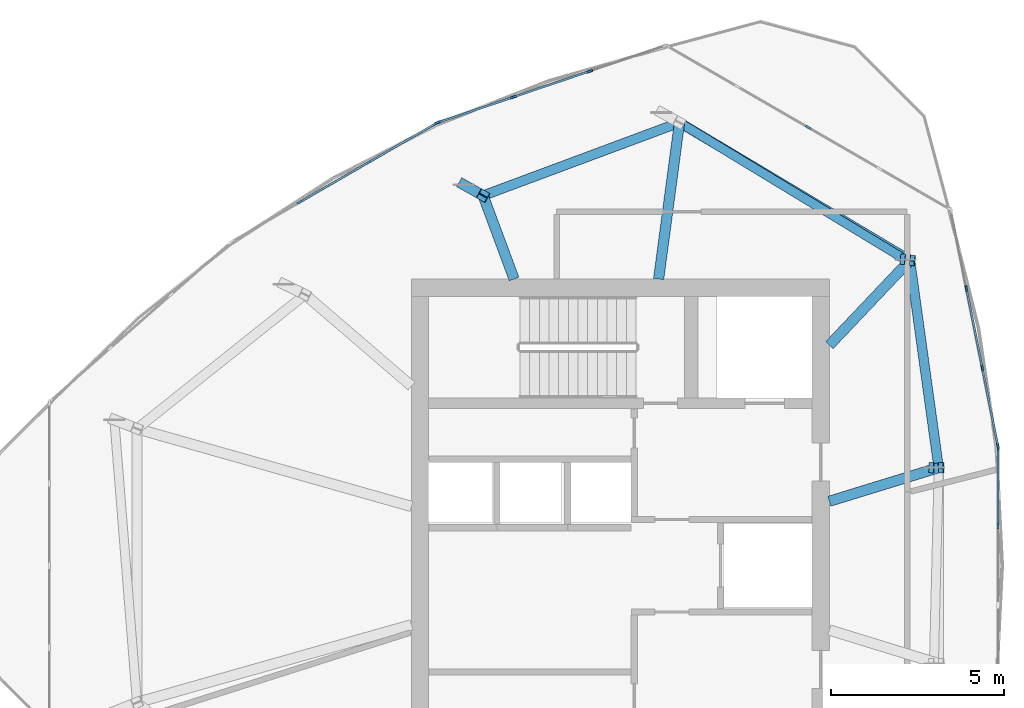
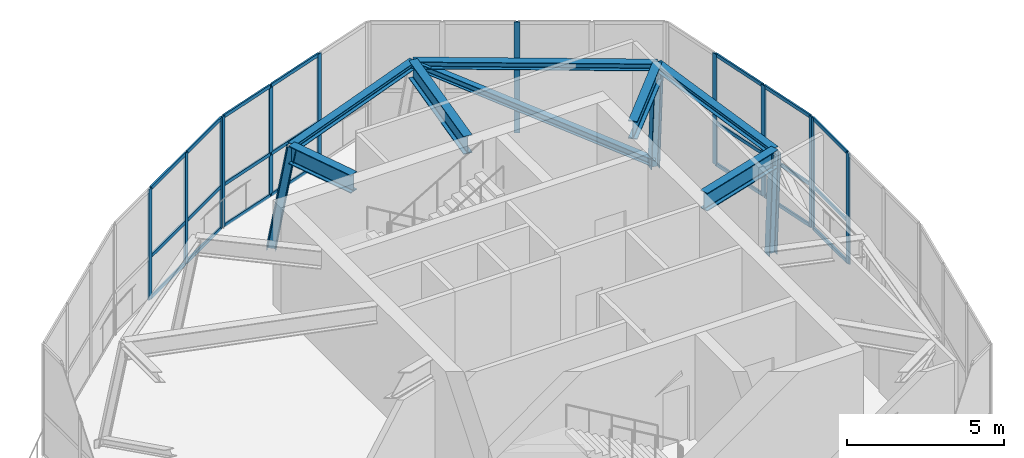
# One storey, part 4 of 11: 40 members, 4 beams, 5 elements without a shape of their own.
"""IFC4 building model written with IfcOpenShell, lengths in metres."""

from ifc_helpers import new_model, si_unit, direction, frame, origin, origin_2d, place, context, subcontext, project, spatial, rectangle, i_section, extrude, source, transform, mapped, material, layer, layer_set, material_profile, profile_set, type_object, element, aggregate, save


model = new_model("IFC4")

# Units and contexts
model_context = context("Model", 3, precision=1e-05, world=origin(), true_north=direction((0.0, 1.0)))
body_context = subcontext(model_context, "Body", "Model", "MODEL_VIEW")
ifc_project = project(units=[si_unit("LENGTHUNIT", "METRE"), si_unit("AREAUNIT", "SQUARE_METRE"), si_unit("VOLUMEUNIT", "CUBIC_METRE"), si_unit("PLANEANGLEUNIT", "RADIAN"), si_unit("MASSUNIT", "GRAM", prefix="KILO")], contexts=[model_context])

# Site, building, storey
site_placement = place(None, origin())
site = spatial("IfcSite", under=ifc_project, at=site_placement, CompositionType="ELEMENT")
building_placement = place(site_placement, origin())
building = spatial("IfcBuilding", under=site, at=building_placement, Name="Qafzar Sky-Pleat Residences", CompositionType="ELEMENT")
storey_placement = place(building_placement, frame((0.0, 0.0, 253.199951171875)))
storey = spatial("IfcBuildingStorey", under=building, at=storey_placement, Name="L76 Crown", CompositionType="ELEMENT", Elevation=253.199951171875)

# Members
ifc_material_1 = material(Name="Steel S460", Category="steel")
ifc_material_profile_1 = material_profile(ifc_material_1, i_section(OverallWidth=0.300048828125, OverallDepth=0.300048828125, WebThickness=0.010986328125, FlangeThickness=0.01904296875, FilletRadius=0.027099609375, at=origin_2d()), Name="HEB 300")
ifc_profile_set_1 = profile_set([ifc_material_profile_1], Name="Steel S460")
member_type_1 = type_object("IfcMemberType", Name="MEM-CROWN-RIB", PredefinedType="CHORD", material=ifc_profile_set_1)
shared_shape_1 = source(origin(), body_context, "Body", "SweptSolid", [
    extrude(i_section(OverallWidth=0.300048828125, OverallDepth=0.300048828125, WebThickness=0.010986328125, FlangeThickness=0.01904296875, FilletRadius=0.027099609375, at=origin_2d()), origin(), (0.0, 0.0, 1.0), 3.948974609375),
])
member_1_placement = place(storey_placement, frame((25.81201171875, 37.02880859375, 0.0), z_axis=(0.142623835253, -0.079750649101, 0.98655880493), x_axis=(0.488050286309, 0.872815512026, 0.0)))
element("IfcMember", 1, at=member_1_placement, inside=storey, type_object=member_type_1, Name="L76 Crown CROWN FRAME Inclined Rib 11", PredefinedType="CHORD", context=body_context, shape_type="MappedRepresentation", body=[
    mapped(shared_shape_1, transform((0.0, 0.0, 0.0), x_axis=(1.0, 0.0, 0.0), y_axis=(0.0, 1.0, 0.0), z_axis=(0.0, 0.0, 1.0), scale=1.0)),
])
shared_shape_2 = source(origin(), body_context, "Body", "SweptSolid", [
    extrude(i_section(OverallWidth=0.300048828125, OverallDepth=0.300048828125, WebThickness=0.010986328125, FlangeThickness=0.01904296875, FilletRadius=0.027099609375, at=origin_2d()), origin(), (0.0, 0.0, 1.0), 3.898193359375),
])
member_2_placement = place(storey_placement, frame((38.60302734375, 34.861083984375, 0.0), z_axis=(0.033318716266, -0.00413352495, 0.99943622964), x_axis=(0.123116331212, 0.99239224553, 0.0)))
element("IfcMember", 2, at=member_2_placement, inside=storey, type_object=member_type_1, Name="L76 Crown CROWN FRAME Inclined Rib 9", PredefinedType="CHORD", context=body_context, shape_type="MappedRepresentation", body=[
    mapped(shared_shape_2, transform((0.0, 0.0, 0.0), x_axis=(1.0, 0.0, 0.0), y_axis=(0.0, 1.0, 0.0), z_axis=(0.0, 0.0, 1.0), scale=1.0)),
])
shared_shape_3 = source(origin(), body_context, "Body", "SweptSolid", [
    extrude(i_section(OverallWidth=0.300048828125, OverallDepth=0.300048828125, WebThickness=0.010986328125, FlangeThickness=0.01904296875, FilletRadius=0.027099609375, at=origin_2d()), origin(), (0.0, 0.0, 1.0), 3.8984375),
])
member_3_placement = place(storey_placement, frame((39.427978515625, 28.839111328125, 0.0), z_axis=(0.035007979308, -0.000250504324, 0.999387001433), x_axis=(0.007155451874, 0.999974399427, 0.0)))
element("IfcMember", 3, at=member_3_placement, inside=storey, type_object=member_type_1, Name="L76 Crown CROWN FRAME Inclined Rib 8", PredefinedType="CHORD", context=body_context, shape_type="MappedRepresentation", body=[
    mapped(shared_shape_3, transform((0.0, 0.0, 0.0), x_axis=(1.0, 0.0, 0.0), y_axis=(0.0, 1.0, 0.0), z_axis=(0.0, 0.0, 1.0), scale=1.0)),
])
ifc_material_2 = material(Name="Steel S355", Category="steel")
ifc_material_profile_2 = material_profile(ifc_material_2, i_section(OverallWidth=0.280029296875, OverallDepth=0.280029296875, WebThickness=0.010498046875, FlangeThickness=0.01806640625, FilletRadius=0.02392578125, at=origin_2d()), Name="HEB 280")
ifc_profile_set_2 = profile_set([ifc_material_profile_2], Name="Steel S355")
member_type_2 = type_object("IfcMemberType", Name="MEM-CROWN-RING", PredefinedType="PURLIN", material=ifc_profile_set_2)
shared_shape_4 = source(origin(), body_context, "Body", "SweptSolid", [
    extrude(i_section(OverallWidth=0.280029296875, OverallDepth=0.280029296875, WebThickness=0.010498046875, FlangeThickness=0.01806640625, FilletRadius=0.02392578125, at=origin_2d()), origin(), (0.0, 0.0, 1.0), 6.066162109375),
])
member_4_placement = place(storey_placement, frame((32.060302734375, 38.830078125, 3.906005859375), z_axis=(-0.937176568402, -0.348855384991, 0.0), x_axis=(0.348855384991, -0.937176568402, 0.0)))
element("IfcMember", 4, at=member_4_placement, inside=storey, type_object=member_type_2, Name="L76 Crown CROWN FRAME Ring Beam 10", PredefinedType="PURLIN", context=body_context, shape_type="MappedRepresentation", body=[
    mapped(shared_shape_4, transform((0.0, 0.0, 0.0), x_axis=(1.0, 0.0, 0.0), y_axis=(0.0, 1.0, 0.0), z_axis=(0.0, 0.0, 1.0), scale=1.0)),
])
shared_shape_5 = source(origin(), body_context, "Body", "SweptSolid", [
    extrude(i_section(OverallWidth=0.280029296875, OverallDepth=0.280029296875, WebThickness=0.010498046875, FlangeThickness=0.01806640625, FilletRadius=0.02392578125, at=origin_2d()), origin(), (0.0, 0.0, 1.0), 7.77197265625),
])
member_5_placement = place(storey_placement, frame((38.73291015625, 34.844970703125, 3.906005859375), z_axis=(-0.858538851702, 0.512748515471, 0.0), x_axis=(-0.512748515471, -0.858538851702, 0.0)))
element("IfcMember", 5, at=member_5_placement, inside=storey, type_object=member_type_2, Name="L76 Crown CROWN FRAME Ring Beam 9", PredefinedType="PURLIN", context=body_context, shape_type="MappedRepresentation", body=[
    mapped(shared_shape_5, transform((0.0, 0.0, 0.0), x_axis=(1.0, 0.0, 0.0), y_axis=(0.0, 1.0, 0.0), z_axis=(0.0, 0.0, 1.0), scale=1.0)),
])
shared_shape_6 = source(origin(), body_context, "Body", "SweptSolid", [
    extrude(i_section(OverallWidth=0.280029296875, OverallDepth=0.280029296875, WebThickness=0.010498046875, FlangeThickness=0.01806640625, FilletRadius=0.02392578125, at=origin_2d()), origin(), (0.0, 0.0, 1.0), 6.064208984375),
])
member_6_placement = place(storey_placement, frame((39.564453125, 28.838134765625, 3.906005859375), z_axis=(-0.137125102778, 0.990553737153, 0.0), x_axis=(-0.990553737153, -0.137125102778, 0.0)))
element("IfcMember", 6, at=member_6_placement, inside=storey, type_object=member_type_2, Name="L76 Crown CROWN FRAME Ring Beam 8", PredefinedType="PURLIN", context=body_context, shape_type="MappedRepresentation", body=[
    mapped(shared_shape_6, transform((0.0, 0.0, 0.0), x_axis=(1.0, 0.0, 0.0), y_axis=(0.0, 1.0, 0.0), z_axis=(0.0, 0.0, 1.0), scale=1.0)),
])
ifc_material_profile_3 = material_profile(ifc_material_2, i_section(OverallWidth=0.260009765625, OverallDepth=0.260009765625, WebThickness=0.010009765625, FlangeThickness=0.017578125, FilletRadius=0.02392578125, at=origin_2d()), Name="HEB 260")
ifc_profile_set_3 = profile_set([ifc_material_profile_3], Name="Steel S355")
member_type_3 = type_object("IfcMemberType", Name="MEM-CROWN-DIAG", PredefinedType="BRACE", material=ifc_profile_set_3)
shared_shape_7 = source(origin(), body_context, "Body", "SweptSolid", [
    extrude(i_section(OverallWidth=0.260009765625, OverallDepth=0.260009765625, WebThickness=0.010009765625, FlangeThickness=0.017578125, FilletRadius=0.02392578125, at=origin_2d()), origin(), (0.0, 0.0, 1.0), 8.507080078125),
])
member_7_placement = place(storey_placement, frame((38.60302734375, 34.861083984375, 0.199951171875), z_axis=(-0.769097625166, 0.466555471932, 0.43682357374), x_axis=(-0.518655910238, -0.854983068122, 0.0)))
element("IfcMember", 7, at=member_7_placement, inside=storey, type_object=member_type_3, Name="L76 Crown CROWN FRAME Wind Brace 9", PredefinedType="BRACE", context=body_context, shape_type="MappedRepresentation", body=[
    mapped(shared_shape_7, transform((0.0, 0.0, 0.0), x_axis=(1.0, 0.0, 0.0), y_axis=(0.0, 1.0, 0.0), z_axis=(0.0, 0.0, 1.0), scale=1.0)),
])

# Beams
ifc_material_profile_4 = material_profile(ifc_material_1, i_section(OverallWidth=0.300048828125, OverallDepth=0.699951171875, WebThickness=0.01708984375, FlangeThickness=0.031982421875, FilletRadius=0.027099609375, at=origin_2d()), Name="HEB 700")
ifc_profile_set_4 = profile_set([ifc_material_profile_4], Name="Steel S460")
beam_type = type_object("IfcBeamType", Name="BM-CHORD-HEB700", PredefinedType="BEAM", material=ifc_profile_set_4)
shared_shape_8 = source(origin(), body_context, "Body", "SweptSolid", [
    extrude(i_section(OverallWidth=0.300048828125, OverallDepth=0.699951171875, WebThickness=0.01708984375, FlangeThickness=0.031982421875, FilletRadius=0.027099609375, at=origin_2d()), origin(), (0.0, 0.0, 1.0), 2.574462890625),
])
beam_1_placement = place(storey_placement, frame((26.375244140625, 36.7138671875, 3.697998046875), z_axis=(0.347826989698, -0.937558736953, 0.0), x_axis=(0.937558736953, 0.347826989698, 0.0)))
element("IfcBeam", 8, at=beam_1_placement, inside=storey, type_object=beam_type, Name="L77 Crown Crown Rib Base Transfer Beam 11", PredefinedType="BEAM", context=body_context, shape_type="MappedRepresentation", body=[
    mapped(shared_shape_8, transform((0.0, 0.0, 0.0), x_axis=(1.0, 0.0, 0.0), y_axis=(0.0, 1.0, 0.0), z_axis=(0.0, 0.0, 1.0), scale=1.0)),
])
shared_shape_9 = source(origin(), body_context, "Body", "SweptSolid", [
    extrude(i_section(OverallWidth=0.300048828125, OverallDepth=0.699951171875, WebThickness=0.01708984375, FlangeThickness=0.031982421875, FilletRadius=0.027099609375, at=origin_2d()), origin(), (0.0, 0.0, 1.0), 4.570068359375),
])
beam_2_placement = place(storey_placement, frame((32.060302734375, 38.830078125, 3.697998046875), z_axis=(-0.132163720091, -0.991227900683, 0.0), x_axis=(0.991227900683, -0.132163720091, 0.0)))
element("IfcBeam", 9, at=beam_2_placement, inside=storey, type_object=beam_type, Name="L77 Crown Crown Rib Base Transfer Beam 10", PredefinedType="BEAM", context=body_context, shape_type="MappedRepresentation", body=[
    mapped(shared_shape_9, transform((0.0, 0.0, 0.0), x_axis=(1.0, 0.0, 0.0), y_axis=(0.0, 1.0, 0.0), z_axis=(0.0, 0.0, 1.0), scale=1.0)),
])
shared_shape_10 = source(origin(), body_context, "Body", "SweptSolid", [
    extrude(i_section(OverallWidth=0.300048828125, OverallDepth=0.699951171875, WebThickness=0.01708984375, FlangeThickness=0.031982421875, FilletRadius=0.027099609375, at=origin_2d()), origin(), (0.0, 0.0, 1.0), 3.391357421875),
])
beam_3_placement = place(storey_placement, frame((38.73291015625, 34.844970703125, 3.697998046875), z_axis=(-0.68792034231, -0.725786196229, 0.0), x_axis=(0.725786196229, -0.68792034231, 0.0)))
element("IfcBeam", 10, at=beam_3_placement, inside=storey, type_object=beam_type, Name="L77 Crown Crown Rib Base Transfer Beam 9", PredefinedType="BEAM", context=body_context, shape_type="MappedRepresentation", body=[
    mapped(shared_shape_10, transform((0.0, 0.0, 0.0), x_axis=(1.0, 0.0, 0.0), y_axis=(0.0, 1.0, 0.0), z_axis=(0.0, 0.0, 1.0), scale=1.0)),
])
shared_shape_11 = source(origin(), body_context, "Body", "SweptSolid", [
    extrude(i_section(OverallWidth=0.300048828125, OverallDepth=0.699951171875, WebThickness=0.01708984375, FlangeThickness=0.031982421875, FilletRadius=0.027099609375, at=origin_2d()), origin(), (0.0, 0.0, 1.0), 3.311279296875),
])
beam_4_placement = place(storey_placement, frame((39.564453125, 28.838134765625, 3.697998046875), z_axis=(-0.955702455447, -0.294334531873, 0.0), x_axis=(0.294334531873, -0.955702455447, 0.0)))
element("IfcBeam", 11, at=beam_4_placement, inside=storey, type_object=beam_type, Name="L77 Crown Crown Rib Base Transfer Beam 8", PredefinedType="BEAM", context=body_context, shape_type="MappedRepresentation", body=[
    mapped(shared_shape_11, transform((0.0, 0.0, 0.0), x_axis=(1.0, 0.0, 0.0), y_axis=(0.0, 1.0, 0.0), z_axis=(0.0, 0.0, 1.0), scale=1.0)),
])

# Curtain wall, members
ifc_material_3 = material(Name="Anodised bronze aluminium framing", Category="aluminium")
ifc_layer = layer(ifc_material_3, 0.179931640625)
ifc_layer_set = layer_set([ifc_layer], Name="Anodised bronze aluminium framing")
curtain_wall_type = type_object("IfcCurtainWallType", Name="CW-SYS-06", PredefinedType="NOTDEFINED", material=ifc_layer_set)
curtain_wall_1_placement = place(storey_placement, origin())
curtain_wall_1 = element("IfcCurtainWall", 12, at=curtain_wall_1_placement, inside=storey, type_object=curtain_wall_type, Name="L76 Crown CW-06 Curtain Wall CW-CROWN-01-07", PredefinedType="NOTDEFINED")
ifc_material_4 = material(Name="Anodised bronze aluminium", Category="aluminium")
ifc_material_profile_5 = material_profile(ifc_material_4, rectangle(XDim=0.06005859375, YDim=0.179931640625, at=origin_2d()), Name="ALU MULLION 60x180")
ifc_profile_set_5 = profile_set([ifc_material_profile_5], Name="Anodised bronze aluminium")
member_type_4 = type_object("IfcMemberType", Name="CWM-06", PredefinedType="MULLION", material=ifc_profile_set_5)
shared_shape_12 = source(origin(), body_context, "Body", "SweptSolid", [
    extrude(rectangle(XDim=0.06005859375, YDim=0.179931640625, at=origin_2d()), origin(), (0.0, 0.0, 1.0), 4.300048828125),
])
member_8_placement = place(storey_placement, frame((41.284423828125, 27.145263671875, 0.0), z_axis=(0.0, 0.0, 1.0), x_axis=(-1.0, 0.0, 0.0)))
member_8 = element("IfcMember", 13, at=member_8_placement, type_object=member_type_4, Name="CW-06 mullion 3", PredefinedType="MULLION", context=body_context, shape_type="MappedRepresentation", body=[
    mapped(shared_shape_12, transform((0.0, 0.0, 0.0), x_axis=(1.0, 0.0, 0.0), y_axis=(0.0, 1.0, 0.0), z_axis=(0.0, 0.0, 1.0), scale=1.0)),
])
member_9_placement = place(storey_placement, frame((41.284423828125, 29.406005859375, 0.0), z_axis=(0.0, 0.0, 1.0), x_axis=(-1.0, 0.0, 0.0)))
member_9 = element("IfcMember", 14, at=member_9_placement, type_object=member_type_4, Name="CW-06 mullion 4", PredefinedType="MULLION", context=body_context, shape_type="MappedRepresentation", body=[
    mapped(shared_shape_12, transform((0.0, 0.0, 0.0), x_axis=(1.0, 0.0, 0.0), y_axis=(0.0, 1.0, 0.0), z_axis=(0.0, 0.0, 1.0), scale=1.0)),
])

curtain_wall_2_placement = place(storey_placement, origin())
curtain_wall_2 = element("IfcCurtainWall", 15, at=curtain_wall_2_placement, inside=storey, type_object=curtain_wall_type, Name="L76 Crown CW-06 Curtain Wall CW-CROWN-01-08", PredefinedType="NOTDEFINED")
member_10_placement = place(storey_placement, frame((41.278564453125, 29.465576171875, 0.0), z_axis=(0.0, 0.0, 1.0), x_axis=(-0.980581224497, -0.196113391089, 0.0)))
member_10 = element("IfcMember", 16, at=member_10_placement, type_object=member_type_4, Name="CW-06 mullion 1", PredefinedType="MULLION", context=body_context, shape_type="MappedRepresentation", body=[
    mapped(shared_shape_12, transform((0.0, 0.0, 0.0), x_axis=(1.0, 0.0, 0.0), y_axis=(0.0, 1.0, 0.0), z_axis=(0.0, 0.0, 1.0), scale=1.0)),
])
member_11_placement = place(storey_placement, frame((40.826416015625, 31.726806640625, 0.0), z_axis=(0.0, 0.0, 1.0), x_axis=(-0.980581224497, -0.196113391089, 0.0)))
member_11 = element("IfcMember", 17, at=member_11_placement, type_object=member_type_4, Name="CW-06 mullion 2", PredefinedType="MULLION", context=body_context, shape_type="MappedRepresentation", body=[
    mapped(shared_shape_12, transform((0.0, 0.0, 0.0), x_axis=(1.0, 0.0, 0.0), y_axis=(0.0, 1.0, 0.0), z_axis=(0.0, 0.0, 1.0), scale=1.0)),
])
member_12_placement = place(storey_placement, frame((40.3681640625, 34.017578125, 0.0), z_axis=(0.0, 0.0, 1.0), x_axis=(-0.980581224497, -0.196113391089, 0.0)))
member_12 = element("IfcMember", 18, at=member_12_placement, type_object=member_type_4, Name="CW-06 mullion 3", PredefinedType="MULLION", context=body_context, shape_type="MappedRepresentation", body=[
    mapped(shared_shape_12, transform((0.0, 0.0, 0.0), x_axis=(1.0, 0.0, 0.0), y_axis=(0.0, 1.0, 0.0), z_axis=(0.0, 0.0, 1.0), scale=1.0)),
])

# Curtain wall, member
curtain_wall_3_placement = place(storey_placement, origin())
curtain_wall_3 = element("IfcCurtainWall", 19, at=curtain_wall_3_placement, inside=storey, type_object=curtain_wall_type, Name="L76 Crown CW-06 Curtain Wall CW-CROWN-01-09", PredefinedType="NOTDEFINED")
member_13_placement = place(storey_placement, frame((35.7919921875, 38.685791015625, 0.0), z_axis=(0.0, 0.0, 1.0), x_axis=(-0.50000340554, -0.866023437586, 0.0)))
member_13 = element("IfcMember", 20, at=member_13_placement, type_object=member_type_4, Name="CW-06 mullion 3", PredefinedType="MULLION", context=body_context, shape_type="MappedRepresentation", body=[
    mapped(shared_shape_12, transform((0.0, 0.0, 0.0), x_axis=(1.0, 0.0, 0.0), y_axis=(0.0, 1.0, 0.0), z_axis=(0.0, 0.0, 1.0), scale=1.0)),
])
aggregate(curtain_wall_3, [member_13])

# Curtain wall, members
curtain_wall_4_placement = place(storey_placement, origin())
curtain_wall_4 = element("IfcCurtainWall", 21, at=curtain_wall_4_placement, inside=storey, type_object=curtain_wall_type, Name="L76 Crown CW-06 Curtain Wall CW-CROWN-01-10", PredefinedType="NOTDEFINED")
member_14_placement = place(storey_placement, frame((29.461181640625, 40.314697265625, 0.0), z_axis=(0.0, 0.0, 1.0), x_axis=(0.320453965191, -0.947264089995, 0.0)))
member_14 = element("IfcMember", 22, at=member_14_placement, type_object=member_type_4, Name="CW-06 mullion 2", PredefinedType="MULLION", context=body_context, shape_type="MappedRepresentation", body=[
    mapped(shared_shape_12, transform((0.0, 0.0, 0.0), x_axis=(1.0, 0.0, 0.0), y_axis=(0.0, 1.0, 0.0), z_axis=(0.0, 0.0, 1.0), scale=1.0)),
])
member_15_placement = place(storey_placement, frame((27.248291015625, 39.566162109375, 0.0), z_axis=(0.0, 0.0, 1.0), x_axis=(0.320453965191, -0.947264089995, 0.0)))
member_15 = element("IfcMember", 23, at=member_15_placement, type_object=member_type_4, Name="CW-06 mullion 3", PredefinedType="MULLION", context=body_context, shape_type="MappedRepresentation", body=[
    mapped(shared_shape_12, transform((0.0, 0.0, 0.0), x_axis=(1.0, 0.0, 0.0), y_axis=(0.0, 1.0, 0.0), z_axis=(0.0, 0.0, 1.0), scale=1.0)),
])
member_16_placement = place(storey_placement, frame((25.06396484375, 38.8271484375, 0.0), z_axis=(0.0, 0.0, 1.0), x_axis=(0.320453965191, -0.947264089995, 0.0)))
member_16 = element("IfcMember", 24, at=member_16_placement, type_object=member_type_4, Name="CW-06 mullion 4", PredefinedType="MULLION", context=body_context, shape_type="MappedRepresentation", body=[
    mapped(shared_shape_12, transform((0.0, 0.0, 0.0), x_axis=(1.0, 0.0, 0.0), y_axis=(0.0, 1.0, 0.0), z_axis=(0.0, 0.0, 1.0), scale=1.0)),
])

curtain_wall_5_placement = place(storey_placement, origin())
curtain_wall_5 = element("IfcCurtainWall", 25, at=curtain_wall_5_placement, inside=storey, type_object=curtain_wall_type, Name="L76 Crown CW-06 Curtain Wall CW-CROWN-01-11", PredefinedType="NOTDEFINED")
member_17_placement = place(storey_placement, frame((25.009521484375, 38.802490234375, 0.0), z_axis=(0.0, 0.0, 1.0), x_axis=(0.499999986124, -0.866025411795, 0.0)))
member_17 = element("IfcMember", 26, at=member_17_placement, type_object=member_type_4, Name="CW-06 mullion 1", PredefinedType="MULLION", context=body_context, shape_type="MappedRepresentation", body=[
    mapped(shared_shape_12, transform((0.0, 0.0, 0.0), x_axis=(1.0, 0.0, 0.0), y_axis=(0.0, 1.0, 0.0), z_axis=(0.0, 0.0, 1.0), scale=1.0)),
])
member_18_placement = place(storey_placement, frame((23.0517578125, 37.672119140625, 0.0), z_axis=(0.0, 0.0, 1.0), x_axis=(0.499999986124, -0.866025411795, 0.0)))
member_18 = element("IfcMember", 27, at=member_18_placement, type_object=member_type_4, Name="CW-06 mullion 2", PredefinedType="MULLION", context=body_context, shape_type="MappedRepresentation", body=[
    mapped(shared_shape_12, transform((0.0, 0.0, 0.0), x_axis=(1.0, 0.0, 0.0), y_axis=(0.0, 1.0, 0.0), z_axis=(0.0, 0.0, 1.0), scale=1.0)),
])
member_19_placement = place(storey_placement, frame((21.06787109375, 36.52685546875, 0.0), z_axis=(0.0, 0.0, 1.0), x_axis=(0.499999986124, -0.866025411795, 0.0)))
member_19 = element("IfcMember", 28, at=member_19_placement, type_object=member_type_4, Name="CW-06 mullion 3", PredefinedType="MULLION", context=body_context, shape_type="MappedRepresentation", body=[
    mapped(shared_shape_12, transform((0.0, 0.0, 0.0), x_axis=(1.0, 0.0, 0.0), y_axis=(0.0, 1.0, 0.0), z_axis=(0.0, 0.0, 1.0), scale=1.0)),
])

# Member
ifc_material_profile_6 = material_profile(ifc_material_4, rectangle(XDim=0.06005859375, YDim=0.135009765625, at=origin_2d()), Name="ALU TRANSOM 60x135")
ifc_profile_set_6 = profile_set([ifc_material_profile_6], Name="Anodised bronze aluminium")
member_type_5 = type_object("IfcMemberType", Name="CWT-06", PredefinedType="USERDEFINED", material=ifc_profile_set_6)
shared_shape_13 = source(origin(), body_context, "Body", "SweptSolid", [
    extrude(rectangle(XDim=0.06005859375, YDim=0.135009765625, at=origin_2d()), origin(), (0.0, 0.0, 1.0), 2.276123046875),
])
member_20_placement = place(storey_placement, frame((40.820556640625, 31.756103515625, 0.030029296875), z_axis=(-0.196178015351, 0.980568297618, 0.0), x_axis=(-0.980568297618, -0.196178015351, 0.0)))
member_20 = element("IfcMember", 29, at=member_20_placement, type_object=member_type_5, Name="CW-06 transom 2.1", ObjectType="TRANSOM", PredefinedType="USERDEFINED", context=body_context, shape_type="MappedRepresentation", body=[
    mapped(shared_shape_13, transform((0.0, 0.0, 0.0), x_axis=(1.0, 0.0, 0.0), y_axis=(0.0, 1.0, 0.0), z_axis=(0.0, 0.0, 1.0), scale=1.0)),
])

member_21_placement = place(storey_placement, frame((40.820556640625, 31.756103515625, 1.634033203125), z_axis=(-0.196178015351, 0.980568297618, 0.0), x_axis=(-0.980568297618, -0.196178015351, 0.0)))
member_21 = element("IfcMember", 30, at=member_21_placement, type_object=member_type_5, Name="CW-06 transom 2.2", ObjectType="TRANSOM", PredefinedType="USERDEFINED", context=body_context, shape_type="MappedRepresentation", body=[
    mapped(shared_shape_13, transform((0.0, 0.0, 0.0), x_axis=(1.0, 0.0, 0.0), y_axis=(0.0, 1.0, 0.0), z_axis=(0.0, 0.0, 1.0), scale=1.0)),
])

member_22_placement = place(storey_placement, frame((40.820556640625, 31.756103515625, 4.27001953125), z_axis=(-0.196178015351, 0.980568297618, 0.0), x_axis=(-0.980568297618, -0.196178015351, 0.0)))
member_22 = element("IfcMember", 31, at=member_22_placement, type_object=member_type_5, Name="CW-06 transom 2.3", ObjectType="TRANSOM", PredefinedType="USERDEFINED", context=body_context, shape_type="MappedRepresentation", body=[
    mapped(shared_shape_13, transform((0.0, 0.0, 0.0), x_axis=(1.0, 0.0, 0.0), y_axis=(0.0, 1.0, 0.0), z_axis=(0.0, 0.0, 1.0), scale=1.0)),
])

member_23_placement = place(storey_placement, frame((29.432861328125, 40.30517578125, 0.030029296875), z_axis=(-0.947247034967, -0.32050437555, 0.0), x_axis=(0.32050437555, -0.947247034967, 0.0)))
member_23 = element("IfcMember", 32, at=member_23_placement, type_object=member_type_5, Name="CW-06 transom 2.1", ObjectType="TRANSOM", PredefinedType="USERDEFINED", context=body_context, shape_type="MappedRepresentation", body=[
    mapped(shared_shape_13, transform((0.0, 0.0, 0.0), x_axis=(1.0, 0.0, 0.0), y_axis=(0.0, 1.0, 0.0), z_axis=(0.0, 0.0, 1.0), scale=1.0)),
])

member_24_placement = place(storey_placement, frame((29.432861328125, 40.30517578125, 1.634033203125), z_axis=(-0.947247034967, -0.32050437555, 0.0), x_axis=(0.32050437555, -0.947247034967, 0.0)))
member_24 = element("IfcMember", 33, at=member_24_placement, type_object=member_type_5, Name="CW-06 transom 2.2", ObjectType="TRANSOM", PredefinedType="USERDEFINED", context=body_context, shape_type="MappedRepresentation", body=[
    mapped(shared_shape_13, transform((0.0, 0.0, 0.0), x_axis=(1.0, 0.0, 0.0), y_axis=(0.0, 1.0, 0.0), z_axis=(0.0, 0.0, 1.0), scale=1.0)),
])

member_25_placement = place(storey_placement, frame((29.432861328125, 40.30517578125, 4.27001953125), z_axis=(-0.947247034967, -0.32050437555, 0.0), x_axis=(0.32050437555, -0.947247034967, 0.0)))
member_25 = element("IfcMember", 34, at=member_25_placement, type_object=member_type_5, Name="CW-06 transom 2.3", ObjectType="TRANSOM", PredefinedType="USERDEFINED", context=body_context, shape_type="MappedRepresentation", body=[
    mapped(shared_shape_13, transform((0.0, 0.0, 0.0), x_axis=(1.0, 0.0, 0.0), y_axis=(0.0, 1.0, 0.0), z_axis=(0.0, 0.0, 1.0), scale=1.0)),
])

shared_shape_14 = source(origin(), body_context, "Body", "SweptSolid", [
    extrude(rectangle(XDim=0.06005859375, YDim=0.135009765625, at=origin_2d()), origin(), (0.0, 0.0, 1.0), 2.230712890625),
])
member_26_placement = place(storey_placement, frame((23.025634765625, 37.6572265625, 0.030029296875), z_axis=(-0.866005152699, -0.500035074268, 0.0), x_axis=(0.500035074268, -0.866005152699, 0.0)))
member_26 = element("IfcMember", 35, at=member_26_placement, type_object=member_type_5, Name="CW-06 transom 2.1", ObjectType="TRANSOM", PredefinedType="USERDEFINED", context=body_context, shape_type="MappedRepresentation", body=[
    mapped(shared_shape_14, transform((0.0, 0.0, 0.0), x_axis=(1.0, 0.0, 0.0), y_axis=(0.0, 1.0, 0.0), z_axis=(0.0, 0.0, 1.0), scale=1.0)),
])

member_27_placement = place(storey_placement, frame((23.025634765625, 37.6572265625, 1.634033203125), z_axis=(-0.866005152699, -0.500035074268, 0.0), x_axis=(0.500035074268, -0.866005152699, 0.0)))
member_27 = element("IfcMember", 36, at=member_27_placement, type_object=member_type_5, Name="CW-06 transom 2.2", ObjectType="TRANSOM", PredefinedType="USERDEFINED", context=body_context, shape_type="MappedRepresentation", body=[
    mapped(shared_shape_14, transform((0.0, 0.0, 0.0), x_axis=(1.0, 0.0, 0.0), y_axis=(0.0, 1.0, 0.0), z_axis=(0.0, 0.0, 1.0), scale=1.0)),
])

member_28_placement = place(storey_placement, frame((23.025634765625, 37.6572265625, 4.27001953125), z_axis=(-0.866005152699, -0.500035074268, 0.0), x_axis=(0.500035074268, -0.866005152699, 0.0)))
member_28 = element("IfcMember", 37, at=member_28_placement, type_object=member_type_5, Name="CW-06 transom 2.3", ObjectType="TRANSOM", PredefinedType="USERDEFINED", context=body_context, shape_type="MappedRepresentation", body=[
    mapped(shared_shape_14, transform((0.0, 0.0, 0.0), x_axis=(1.0, 0.0, 0.0), y_axis=(0.0, 1.0, 0.0), z_axis=(0.0, 0.0, 1.0), scale=1.0)),
])

shared_shape_15 = source(origin(), body_context, "Body", "SweptSolid", [
    extrude(rectangle(XDim=0.06005859375, YDim=0.135009765625, at=origin_2d()), origin(), (0.0, 0.0, 1.0), 2.200927734375),
])
member_29_placement = place(storey_placement, frame((41.284423828125, 27.17529296875, 0.030029296875), z_axis=(0.0, 1.0, 0.0), x_axis=(-1.0, 0.0, 0.0)))
member_29 = element("IfcMember", 38, at=member_29_placement, type_object=member_type_5, Name="CW-06 transom 3.1", ObjectType="TRANSOM", PredefinedType="USERDEFINED", context=body_context, shape_type="MappedRepresentation", body=[
    mapped(shared_shape_15, transform((0.0, 0.0, 0.0), x_axis=(1.0, 0.0, 0.0), y_axis=(0.0, 1.0, 0.0), z_axis=(0.0, 0.0, 1.0), scale=1.0)),
])

member_30_placement = place(storey_placement, frame((41.284423828125, 27.17529296875, 1.634033203125), z_axis=(0.0, 1.0, 0.0), x_axis=(-1.0, 0.0, 0.0)))
member_30 = element("IfcMember", 39, at=member_30_placement, type_object=member_type_5, Name="CW-06 transom 3.2", ObjectType="TRANSOM", PredefinedType="USERDEFINED", context=body_context, shape_type="MappedRepresentation", body=[
    mapped(shared_shape_15, transform((0.0, 0.0, 0.0), x_axis=(1.0, 0.0, 0.0), y_axis=(0.0, 1.0, 0.0), z_axis=(0.0, 0.0, 1.0), scale=1.0)),
])

member_31_placement = place(storey_placement, frame((41.284423828125, 27.17529296875, 4.27001953125), z_axis=(0.0, 1.0, 0.0), x_axis=(-1.0, 0.0, 0.0)))
member_31 = element("IfcMember", 40, at=member_31_placement, type_object=member_type_5, Name="CW-06 transom 3.3", ObjectType="TRANSOM", PredefinedType="USERDEFINED", context=body_context, shape_type="MappedRepresentation", body=[
    mapped(shared_shape_15, transform((0.0, 0.0, 0.0), x_axis=(1.0, 0.0, 0.0), y_axis=(0.0, 1.0, 0.0), z_axis=(0.0, 0.0, 1.0), scale=1.0)),
])

aggregate(curtain_wall_1, [member_8, member_9, member_29, member_30, member_31])

member_32_placement = place(storey_placement, frame((24.983642578125, 38.78759765625, 0.030029296875), z_axis=(-0.865995312553, -0.50005211592, 0.0), x_axis=(0.50005211592, -0.865995312553, 0.0)))
member_32 = element("IfcMember", 41, at=member_32_placement, type_object=member_type_5, Name="CW-06 transom 1.1", ObjectType="TRANSOM", PredefinedType="USERDEFINED", context=body_context, shape_type="MappedRepresentation", body=[
    mapped(shared_shape_15, transform((0.0, 0.0, 0.0), x_axis=(1.0, 0.0, 0.0), y_axis=(0.0, 1.0, 0.0), z_axis=(0.0, 0.0, 1.0), scale=1.0)),
])

member_33_placement = place(storey_placement, frame((24.983642578125, 38.78759765625, 1.634033203125), z_axis=(-0.865995312553, -0.50005211592, 0.0), x_axis=(0.50005211592, -0.865995312553, 0.0)))
member_33 = element("IfcMember", 42, at=member_33_placement, type_object=member_type_5, Name="CW-06 transom 1.2", ObjectType="TRANSOM", PredefinedType="USERDEFINED", context=body_context, shape_type="MappedRepresentation", body=[
    mapped(shared_shape_15, transform((0.0, 0.0, 0.0), x_axis=(1.0, 0.0, 0.0), y_axis=(0.0, 1.0, 0.0), z_axis=(0.0, 0.0, 1.0), scale=1.0)),
])

member_34_placement = place(storey_placement, frame((24.983642578125, 38.78759765625, 4.27001953125), z_axis=(-0.865995312553, -0.50005211592, 0.0), x_axis=(0.50005211592, -0.865995312553, 0.0)))
member_34 = element("IfcMember", 43, at=member_34_placement, type_object=member_type_5, Name="CW-06 transom 1.3", ObjectType="TRANSOM", PredefinedType="USERDEFINED", context=body_context, shape_type="MappedRepresentation", body=[
    mapped(shared_shape_15, transform((0.0, 0.0, 0.0), x_axis=(1.0, 0.0, 0.0), y_axis=(0.0, 1.0, 0.0), z_axis=(0.0, 0.0, 1.0), scale=1.0)),
])

aggregate(curtain_wall_5, [member_17, member_18, member_19, member_32, member_33, member_34, member_26, member_27, member_28])

shared_shape_16 = source(origin(), body_context, "Body", "SweptSolid", [
    extrude(rectangle(XDim=0.06005859375, YDim=0.135009765625, at=origin_2d()), origin(), (0.0, 0.0, 1.0), 2.24609375),
])
member_35_placement = place(storey_placement, frame((41.272705078125, 29.494873046875, 0.030029296875), z_axis=(-0.196095231202, 0.980584856247, 0.0), x_axis=(-0.980584856247, -0.196095231202, 0.0)))
member_35 = element("IfcMember", 44, at=member_35_placement, type_object=member_type_5, Name="CW-06 transom 1.1", ObjectType="TRANSOM", PredefinedType="USERDEFINED", context=body_context, shape_type="MappedRepresentation", body=[
    mapped(shared_shape_16, transform((0.0, 0.0, 0.0), x_axis=(1.0, 0.0, 0.0), y_axis=(0.0, 1.0, 0.0), z_axis=(0.0, 0.0, 1.0), scale=1.0)),
])

member_36_placement = place(storey_placement, frame((41.272705078125, 29.494873046875, 1.634033203125), z_axis=(-0.196095231202, 0.980584856247, 0.0), x_axis=(-0.980584856247, -0.196095231202, 0.0)))
member_36 = element("IfcMember", 45, at=member_36_placement, type_object=member_type_5, Name="CW-06 transom 1.2", ObjectType="TRANSOM", PredefinedType="USERDEFINED", context=body_context, shape_type="MappedRepresentation", body=[
    mapped(shared_shape_16, transform((0.0, 0.0, 0.0), x_axis=(1.0, 0.0, 0.0), y_axis=(0.0, 1.0, 0.0), z_axis=(0.0, 0.0, 1.0), scale=1.0)),
])

member_37_placement = place(storey_placement, frame((41.272705078125, 29.494873046875, 4.27001953125), z_axis=(-0.196095231202, 0.980584856247, 0.0), x_axis=(-0.980584856247, -0.196095231202, 0.0)))
member_37 = element("IfcMember", 46, at=member_37_placement, type_object=member_type_5, Name="CW-06 transom 1.3", ObjectType="TRANSOM", PredefinedType="USERDEFINED", context=body_context, shape_type="MappedRepresentation", body=[
    mapped(shared_shape_16, transform((0.0, 0.0, 0.0), x_axis=(1.0, 0.0, 0.0), y_axis=(0.0, 1.0, 0.0), z_axis=(0.0, 0.0, 1.0), scale=1.0)),
])

aggregate(curtain_wall_2, [member_10, member_11, member_12, member_35, member_36, member_37, member_20, member_21, member_22])

member_38_placement = place(storey_placement, frame((27.219970703125, 39.556396484375, 0.030029296875), z_axis=(-0.94727181429, -0.320431131214, 0.0), x_axis=(0.320431131214, -0.94727181429, 0.0)))
member_38 = element("IfcMember", 47, at=member_38_placement, type_object=member_type_5, Name="CW-06 transom 3.1", ObjectType="TRANSOM", PredefinedType="USERDEFINED", context=body_context, shape_type="MappedRepresentation", body=[
    mapped(shared_shape_16, transform((0.0, 0.0, 0.0), x_axis=(1.0, 0.0, 0.0), y_axis=(0.0, 1.0, 0.0), z_axis=(0.0, 0.0, 1.0), scale=1.0)),
])

member_39_placement = place(storey_placement, frame((27.219970703125, 39.556396484375, 1.634033203125), z_axis=(-0.94727181429, -0.320431131214, 0.0), x_axis=(0.320431131214, -0.94727181429, 0.0)))
member_39 = element("IfcMember", 48, at=member_39_placement, type_object=member_type_5, Name="CW-06 transom 3.2", ObjectType="TRANSOM", PredefinedType="USERDEFINED", context=body_context, shape_type="MappedRepresentation", body=[
    mapped(shared_shape_16, transform((0.0, 0.0, 0.0), x_axis=(1.0, 0.0, 0.0), y_axis=(0.0, 1.0, 0.0), z_axis=(0.0, 0.0, 1.0), scale=1.0)),
])

member_40_placement = place(storey_placement, frame((27.219970703125, 39.556396484375, 4.27001953125), z_axis=(-0.94727181429, -0.320431131214, 0.0), x_axis=(0.320431131214, -0.94727181429, 0.0)))
member_40 = element("IfcMember", 49, at=member_40_placement, type_object=member_type_5, Name="CW-06 transom 3.3", ObjectType="TRANSOM", PredefinedType="USERDEFINED", context=body_context, shape_type="MappedRepresentation", body=[
    mapped(shared_shape_16, transform((0.0, 0.0, 0.0), x_axis=(1.0, 0.0, 0.0), y_axis=(0.0, 1.0, 0.0), z_axis=(0.0, 0.0, 1.0), scale=1.0)),
])

aggregate(curtain_wall_4, [member_14, member_15, member_16, member_23, member_24, member_25, member_38, member_39, member_40])

save(model, "model.ifc")
